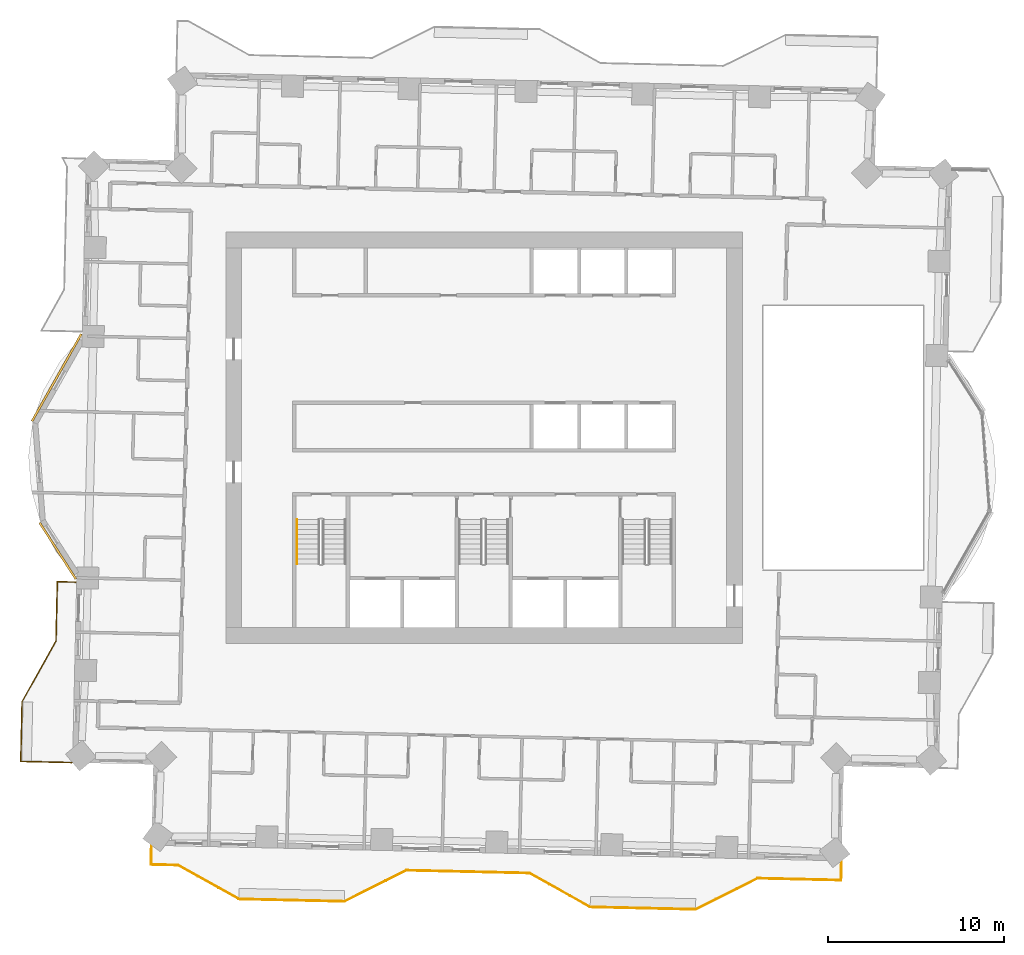
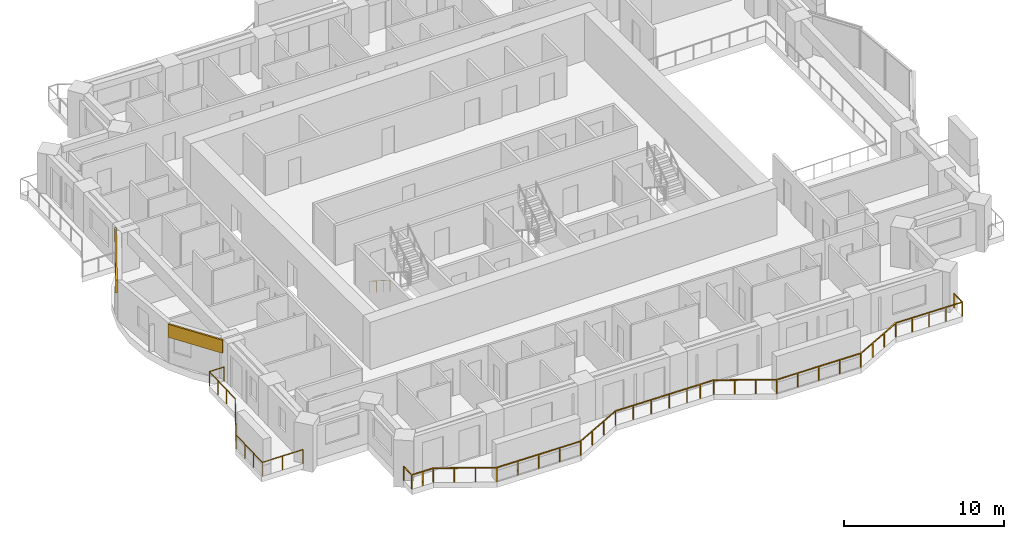
# One storey, part 11 of 14: 3 railings, 2 coverings.
"""IFC4 building model written with IfcOpenShell, lengths in metres."""

from ifc_helpers import new_model, si_unit, direction, frame, frame_2d, origin, origin_2d, place, context, subcontext, project, spatial, rectangle, circle, extrude, material, layer, layer_set, type_object, element, save


model = new_model("IFC4")

# Units and contexts
model_context = context("Model", 3, precision=1e-05, world=origin(), true_north=direction((0.0, 1.0)))
body_context = subcontext(model_context, "Body", "Model", "MODEL_VIEW")
ifc_project = project(units=[si_unit("LENGTHUNIT", "METRE"), si_unit("AREAUNIT", "SQUARE_METRE"), si_unit("VOLUMEUNIT", "CUBIC_METRE"), si_unit("PLANEANGLEUNIT", "RADIAN"), si_unit("MASSUNIT", "GRAM", prefix="KILO")], contexts=[model_context])

# Site, building, storey
site_placement = place(None, origin())
site = spatial("IfcSite", under=ifc_project, at=site_placement, CompositionType="ELEMENT")
building_placement = place(site_placement, origin())
building = spatial("IfcBuilding", under=site, at=building_placement, Name="Mangrove Gate Tower", CompositionType="ELEMENT")
storey_placement = place(building_placement, frame((0.0, 0.0, 163.5)))
storey = spatial("IfcBuildingStorey", under=building, at=storey_placement, Name="L41", CompositionType="ELEMENT", Elevation=163.5)

# Railings
ifc_material_1 = material(Name="Stainless steel grade 316 with laminated glass infill", Category="steel")
railing_type_1 = type_object("IfcRailingType", Name="Balcony guard 1100", PredefinedType="GUARDRAIL", material=ifc_material_1)
railing_1_placement = place(storey_placement, frame((-23.235107421875, -8.212890625, 0.0)))
element("IfcRailing", 1, at=railing_1_placement, inside=storey, type_object=railing_type_1, Name="GUARD L41 W2", PredefinedType="GUARDRAIL", context=body_context, shape_type="SweptSolid", body=[
    extrude(rectangle(XDim=0.048095703125, YDim=0.048095703125, at=origin_2d()), frame((0.0, 0.0, 1.076171875), z_axis=(-0.999765634628, 0.021648921828, 0.0), x_axis=(-0.021648921828, -0.999765634628, 0.0)), (0.0, 0.0, 1.0), 1.06005859375),
    extrude(rectangle(XDim=0.048095703125, YDim=0.048095703125, at=origin_2d()), frame((-1.059814453125, 0.02294921875, 1.076171875), z_axis=(-0.022866052251, -0.999738537646, 0.0), x_axis=(0.999738537646, -0.022866052251, 0.0)), (0.0, 0.0, 1.0), 3.3740234375),
    extrude(rectangle(XDim=0.048095703125, YDim=0.048095703125, at=origin_2d()), frame((-1.136962890625, -3.35009765625, 1.076171875), z_axis=(-0.487155136876, -0.873315448515, 0.0), x_axis=(0.873315448515, -0.487155136876, 0.0)), (0.0, 0.0, 1.0), 3.959716796875),
    extrude(rectangle(XDim=0.048095703125, YDim=0.048095703125, at=origin_2d()), frame((-3.06591796875, -6.80810546875, 1.076171875), z_axis=(-0.022620270121, -0.999744128955, 0.0), x_axis=(0.999744128955, -0.022620270121, 0.0)), (0.0, 0.0, 1.0), 3.39990234375),
    extrude(rectangle(XDim=0.048095703125, YDim=0.048095703125, at=origin_2d()), frame((-3.142822265625, -10.20703125, 1.076171875), z_axis=(0.999741618984, -0.02273093202, 0.0), x_axis=(0.02273093202, 0.999741618984, 0.0)), (0.0, 0.0, 1.0), 2.91064453125),
    extrude(rectangle(XDim=0.0419921875, YDim=0.0419921875, at=origin_2d()), origin(), (0.0, 0.0, 1.0), 1.052001953125),
    extrude(rectangle(XDim=0.0419921875, YDim=0.0419921875, at=origin_2d()), frame((-1.059814453125, 0.02294921875, 0.0)), (0.0, 0.0, 1.0), 1.052001953125),
    extrude(rectangle(XDim=0.0419921875, YDim=0.0419921875, at=origin_2d()), frame((-1.08544921875, -1.101318359375, 0.0)), (0.0, 0.0, 1.0), 1.052001953125),
    extrude(rectangle(XDim=0.0419921875, YDim=0.0419921875, at=origin_2d()), frame((-1.111328125, -2.225830078125, 0.0)), (0.0, 0.0, 1.0), 1.052001953125),
    extrude(rectangle(XDim=0.0419921875, YDim=0.0419921875, at=origin_2d()), frame((-1.136962890625, -3.35009765625, 0.0)), (0.0, 0.0, 1.0), 1.052001953125),
    extrude(rectangle(XDim=0.0419921875, YDim=0.0419921875, at=origin_2d()), frame((-1.780029296875, -4.502685546875, 0.0)), (0.0, 0.0, 1.0), 1.052001953125),
    extrude(rectangle(XDim=0.0419921875, YDim=0.0419921875, at=origin_2d()), frame((-2.4228515625, -5.655517578125, 0.0)), (0.0, 0.0, 1.0), 1.052001953125),
    extrude(rectangle(XDim=0.0419921875, YDim=0.0419921875, at=origin_2d()), frame((-3.06591796875, -6.80810546875, 0.0)), (0.0, 0.0, 1.0), 1.052001953125),
    extrude(rectangle(XDim=0.0419921875, YDim=0.0419921875, at=origin_2d()), frame((-3.091552734375, -7.941162109375, 0.0)), (0.0, 0.0, 1.0), 1.052001953125),
    extrude(rectangle(XDim=0.0419921875, YDim=0.0419921875, at=origin_2d()), frame((-3.1171875, -9.073974609375, 0.0)), (0.0, 0.0, 1.0), 1.052001953125),
    extrude(rectangle(XDim=0.0419921875, YDim=0.0419921875, at=origin_2d()), frame((-3.142822265625, -10.20703125, 0.0)), (0.0, 0.0, 1.0), 1.052001953125),
    extrude(rectangle(XDim=0.0419921875, YDim=0.0419921875, at=origin_2d()), frame((-1.68798828125, -10.240234375, 0.0)), (0.0, 0.0, 1.0), 1.052001953125),
    extrude(rectangle(XDim=0.0419921875, YDim=0.0419921875, at=origin_2d()), frame((-0.23291015625, -10.273193359375, 0.0)), (0.0, 0.0, 1.0), 1.052001953125),
])
railing_2_placement = place(storey_placement, frame((-18.93505859375, -23.22998046875, 0.0)))
element("IfcRailing", 2, at=railing_2_placement, inside=storey, type_object=railing_type_1, Name="GUARD L41 S1", PredefinedType="GUARDRAIL", context=body_context, shape_type="SweptSolid", body=[
    extrude(rectangle(XDim=0.048095703125, YDim=0.048095703125, at=origin_2d()), frame((0.0, 0.0, 1.076171875), z_axis=(-0.022585293253, -0.999744919731, 0.0), x_axis=(0.999744919731, -0.022585293253, 0.0)), (0.0, 0.0, 1.0), 1.059326171875),
    extrude(rectangle(XDim=0.048095703125, YDim=0.048095703125, at=origin_2d()), frame((-0.02392578125, -1.05908203125, 1.076171875), z_axis=(0.999743143029, -0.02266380302, 0.0), x_axis=(0.02266380302, 0.999743143029, 0.0)), (0.0, 0.0, 1.0), 1.54052734375),
    extrude(rectangle(XDim=0.048095703125, YDim=0.048095703125, at=origin_2d()), frame((1.51611328125, -1.093994140625, 1.076171875), z_axis=(0.87325689943, -0.48726008209, 0.0), x_axis=(0.48726008209, 0.87325689943, 0.0)), (0.0, 0.0, 1.0), 3.958740234375),
    extrude(rectangle(XDim=0.048095703125, YDim=0.048095703125, at=origin_2d()), frame((4.97314453125, -3.02294921875, 1.076171875), z_axis=(0.999743073592, -0.022666865795, 0.0), x_axis=(0.022666865795, 0.999743073592, 0.0)), (0.0, 0.0, 1.0), 5.999267578125),
    extrude(rectangle(XDim=0.048095703125, YDim=0.048095703125, at=origin_2d()), frame((10.970947265625, -3.158935546875, 1.076171875), z_axis=(0.894476522376, 0.447114919141, 0.0), x_axis=(-0.447114919141, 0.894476522376, 0.0)), (0.0, 0.0, 1.0), 3.958740234375),
    extrude(rectangle(XDim=0.048095703125, YDim=0.048095703125, at=origin_2d()), frame((14.511962890625, -1.388916015625, 1.076171875), z_axis=(0.999740400278, -0.022784469527, 0.0), x_axis=(0.022784469527, 0.999740400278, 0.0)), (0.0, 0.0, 1.0), 5.100341796875),
    extrude(rectangle(XDim=0.048095703125, YDim=0.048095703125, at=origin_2d()), frame((19.611083984375, -1.505126953125, 1.076171875), z_axis=(0.999744349692, -0.022610512149, 0.0), x_axis=(0.022610512149, 0.999744349692, 0.0)), (0.0, 0.0, 1.0), 1.900390625),
    extrude(rectangle(XDim=0.048095703125, YDim=0.048095703125, at=origin_2d()), frame((21.510986328125, -1.548095703125, 1.076171875), z_axis=(0.87325689943, -0.48726008209, 0.0), x_axis=(0.48726008209, 0.87325689943, 0.0)), (0.0, 0.0, 1.0), 3.958740234375),
    extrude(rectangle(XDim=0.048095703125, YDim=0.048095703125, at=origin_2d()), frame((24.968017578125, -3.47705078125, 1.076171875), z_axis=(0.999743094499, -0.022665943652, 0.0), x_axis=(0.022665943652, 0.999743094499, 0.0)), (0.0, 0.0, 1.0), 5.99951171875),
    extrude(rectangle(XDim=0.048095703125, YDim=0.048095703125, at=origin_2d()), frame((30.966064453125, -3.613037109375, 1.076171875), z_axis=(0.894476522376, 0.447114919141, 0.0), x_axis=(-0.447114919141, 0.894476522376, 0.0)), (0.0, 0.0, 1.0), 3.958740234375),
    extrude(rectangle(XDim=0.048095703125, YDim=0.048095703125, at=origin_2d()), frame((34.507080078125, -1.843017578125, 1.076171875), z_axis=(0.999740850797, -0.022764693012, 0.0), x_axis=(0.022764693012, 0.999740850797, 0.0)), (0.0, 0.0, 1.0), 4.740234375),
    extrude(rectangle(XDim=0.048095703125, YDim=0.048095703125, at=origin_2d()), frame((39.24609375, -1.950927734375, 1.076171875), z_axis=(0.02256969285, 0.999745272039, 0.0), x_axis=(-0.999745272039, 0.02256969285, 0.0)), (0.0, 0.0, 1.0), 1.06005859375),
    extrude(rectangle(XDim=0.0419921875, YDim=0.0419921875, at=origin_2d()), origin(), (0.0, 0.0, 1.0), 1.052001953125),
    extrude(rectangle(XDim=0.0419921875, YDim=0.0419921875, at=origin_2d()), frame((-0.02392578125, -1.05908203125, 0.0)), (0.0, 0.0, 1.0), 1.052001953125),
    extrude(rectangle(XDim=0.0419921875, YDim=0.0419921875, at=origin_2d()), frame((0.74609375, -1.07666015625, 0.0)), (0.0, 0.0, 1.0), 1.052001953125),
    extrude(rectangle(XDim=0.0419921875, YDim=0.0419921875, at=origin_2d()), frame((1.51611328125, -1.093994140625, 0.0)), (0.0, 0.0, 1.0), 1.052001953125),
    extrude(rectangle(XDim=0.0419921875, YDim=0.0419921875, at=origin_2d()), frame((2.66845703125, -1.737060546875, 0.0)), (0.0, 0.0, 1.0), 1.052001953125),
    extrude(rectangle(XDim=0.0419921875, YDim=0.0419921875, at=origin_2d()), frame((3.82080078125, -2.3798828125, 0.0)), (0.0, 0.0, 1.0), 1.052001953125),
    extrude(rectangle(XDim=0.0419921875, YDim=0.0419921875, at=origin_2d()), frame((4.97314453125, -3.02294921875, 0.0)), (0.0, 0.0, 1.0), 1.052001953125),
    extrude(rectangle(XDim=0.0419921875, YDim=0.0419921875, at=origin_2d()), frame((6.47265625, -3.056884765625, 0.0)), (0.0, 0.0, 1.0), 1.052001953125),
    extrude(rectangle(XDim=0.0419921875, YDim=0.0419921875, at=origin_2d()), frame((7.97216796875, -3.0908203125, 0.0)), (0.0, 0.0, 1.0), 1.052001953125),
    extrude(rectangle(XDim=0.0419921875, YDim=0.0419921875, at=origin_2d()), frame((9.471435546875, -3.125, 0.0)), (0.0, 0.0, 1.0), 1.052001953125),
    extrude(rectangle(XDim=0.0419921875, YDim=0.0419921875, at=origin_2d()), frame((10.970947265625, -3.158935546875, 0.0)), (0.0, 0.0, 1.0), 1.052001953125),
    extrude(rectangle(XDim=0.0419921875, YDim=0.0419921875, at=origin_2d()), frame((12.1513671875, -2.56884765625, 0.0)), (0.0, 0.0, 1.0), 1.052001953125),
    extrude(rectangle(XDim=0.0419921875, YDim=0.0419921875, at=origin_2d()), frame((13.33154296875, -1.97900390625, 0.0)), (0.0, 0.0, 1.0), 1.052001953125),
    extrude(rectangle(XDim=0.0419921875, YDim=0.0419921875, at=origin_2d()), frame((14.511962890625, -1.388916015625, 0.0)), (0.0, 0.0, 1.0), 1.052001953125),
    extrude(rectangle(XDim=0.0419921875, YDim=0.0419921875, at=origin_2d()), frame((15.78662109375, -1.41796875, 0.0)), (0.0, 0.0, 1.0), 1.052001953125),
    extrude(rectangle(XDim=0.0419921875, YDim=0.0419921875, at=origin_2d()), frame((17.0615234375, -1.447021484375, 0.0)), (0.0, 0.0, 1.0), 1.052001953125),
    extrude(rectangle(XDim=0.0419921875, YDim=0.0419921875, at=origin_2d()), frame((18.33642578125, -1.47607421875, 0.0)), (0.0, 0.0, 1.0), 1.052001953125),
    extrude(rectangle(XDim=0.0419921875, YDim=0.0419921875, at=origin_2d()), frame((19.611083984375, -1.505126953125, 0.0)), (0.0, 0.0, 1.0), 1.052001953125),
    extrude(rectangle(XDim=0.0419921875, YDim=0.0419921875, at=origin_2d()), frame((20.56103515625, -1.526611328125, 0.0)), (0.0, 0.0, 1.0), 1.052001953125),
    extrude(rectangle(XDim=0.0419921875, YDim=0.0419921875, at=origin_2d()), frame((21.510986328125, -1.548095703125, 0.0)), (0.0, 0.0, 1.0), 1.052001953125),
    extrude(rectangle(XDim=0.0419921875, YDim=0.0419921875, at=origin_2d()), frame((22.663330078125, -2.191162109375, 0.0)), (0.0, 0.0, 1.0), 1.052001953125),
    extrude(rectangle(XDim=0.0419921875, YDim=0.0419921875, at=origin_2d()), frame((23.815673828125, -2.833984375, 0.0)), (0.0, 0.0, 1.0), 1.052001953125),
    extrude(rectangle(XDim=0.0419921875, YDim=0.0419921875, at=origin_2d()), frame((24.968017578125, -3.47705078125, 0.0)), (0.0, 0.0, 1.0), 1.052001953125),
    extrude(rectangle(XDim=0.0419921875, YDim=0.0419921875, at=origin_2d()), frame((26.467529296875, -3.510986328125, 0.0)), (0.0, 0.0, 1.0), 1.052001953125),
    extrude(rectangle(XDim=0.0419921875, YDim=0.0419921875, at=origin_2d()), frame((27.967041015625, -3.544921875, 0.0)), (0.0, 0.0, 1.0), 1.052001953125),
    extrude(rectangle(XDim=0.0419921875, YDim=0.0419921875, at=origin_2d()), frame((29.466552734375, -3.5791015625, 0.0)), (0.0, 0.0, 1.0), 1.052001953125),
    extrude(rectangle(XDim=0.0419921875, YDim=0.0419921875, at=origin_2d()), frame((30.966064453125, -3.613037109375, 0.0)), (0.0, 0.0, 1.0), 1.052001953125),
    extrude(rectangle(XDim=0.0419921875, YDim=0.0419921875, at=origin_2d()), frame((32.146484375, -3.02294921875, 0.0)), (0.0, 0.0, 1.0), 1.052001953125),
    extrude(rectangle(XDim=0.0419921875, YDim=0.0419921875, at=origin_2d()), frame((33.32666015625, -2.43310546875, 0.0)), (0.0, 0.0, 1.0), 1.052001953125),
    extrude(rectangle(XDim=0.0419921875, YDim=0.0419921875, at=origin_2d()), frame((34.507080078125, -1.843017578125, 0.0)), (0.0, 0.0, 1.0), 1.052001953125),
    extrude(rectangle(XDim=0.0419921875, YDim=0.0419921875, at=origin_2d()), frame((35.69189453125, -1.8701171875, 0.0)), (0.0, 0.0, 1.0), 1.052001953125),
    extrude(rectangle(XDim=0.0419921875, YDim=0.0419921875, at=origin_2d()), frame((36.87646484375, -1.89697265625, 0.0)), (0.0, 0.0, 1.0), 1.052001953125),
    extrude(rectangle(XDim=0.0419921875, YDim=0.0419921875, at=origin_2d()), frame((38.061279296875, -1.923828125, 0.0)), (0.0, 0.0, 1.0), 1.052001953125),
    extrude(rectangle(XDim=0.0419921875, YDim=0.0419921875, at=origin_2d()), frame((39.24609375, -1.950927734375, 0.0)), (0.0, 0.0, 1.0), 1.052001953125),
    extrude(rectangle(XDim=0.0419921875, YDim=0.0419921875, at=origin_2d()), frame((39.27001953125, -0.89111328125, 0.0)), (0.0, 0.0, 1.0), 1.052001953125),
])
ifc_material_2 = material(Name="Stainless steel 316", Category="steel")
railing_type_2 = type_object("IfcRailingType", Name="Core stair handrail 900", PredefinedType="HANDRAIL", material=ifc_material_2)
railing_3_placement = place(storey_placement, frame((-10.64990234375, -4.64990234375, 0.179931640625)))
element("IfcRailing", 3, at=railing_3_placement, inside=storey, type_object=railing_type_2, Name="L41 ST1 stair handrail 1", PredefinedType="HANDRAIL", context=body_context, shape_type="SweptSolid", body=[
    extrude(circle(Radius=0.02392578125, at=origin_2d()), frame((0.0, 0.0, 0.8759765625), z_axis=(0.0, -0.841162588446, 0.540782303519), x_axis=(1.0, 0.0, 0.0)), (0.0, 0.0, 1.0), 2.995849609375),
    extrude(circle(Radius=0.02099609375, at=origin_2d()), origin(), (0.0, 0.0, 1.0), 0.851806640625),
    extrude(circle(Radius=0.02099609375, at=origin_2d()), frame((0.0, -0.840087890625, 0.5400390625)), (0.0, 0.0, 1.0), 0.851806640625),
    extrude(circle(Radius=0.02099609375, at=origin_2d()), frame((0.0, -1.679931640625, 1.080078125)), (0.0, 0.0, 1.0), 0.851806640625),
    extrude(circle(Radius=0.02099609375, at=origin_2d()), frame((0.0, -2.52001953125, 1.6201171875)), (0.0, 0.0, 1.0), 0.851806640625),
])

# Coverings
ifc_material_3 = material(Name="Limestone", Category="masonry")
ifc_layer_1 = layer(ifc_material_3, 0.0400390625, Name="Limestone cladding")
ifc_material_4 = material(Name="Stainless steel anchors and cavity", Category="steel")
ifc_layer_2 = layer(ifc_material_4, 0.080078125, Name="Fixing cavity")
ifc_layer_set = layer_set([ifc_layer_1, ifc_layer_2], Name="Joint fascia cladding 120")
covering_type = type_object("IfcCoveringType", Name="Joint fascia cladding 120", PredefinedType="CLADDING", material=ifc_layer_set)
covering_1_placement = place(storey_placement, frame((-22.925048828125, 5.908935546875, 2.050048828125), z_axis=(0.0, 0.0, 1.0), x_axis=(-0.49249427368, -0.870315684331, 0.0)))
element("IfcCovering", 4, at=covering_1_placement, inside=storey, type_object=covering_type, Name="STONE FASCIA L41 W9.L1", PredefinedType="CLADDING", context=body_context, shape_type="SweptSolid", body=[
    extrude(rectangle(XDim=5.705810546875, YDim=0.1201171875, at=frame_2d((2.85302734375, 0.0))), origin(), (0.0, 0.0, 1.0), 1.0),
])
covering_2_placement = place(storey_placement, frame((-25.300048828125, -4.830078125, 2.050048828125), z_axis=(0.0, 0.0, 1.0), x_axis=(0.540486138148, -0.841352919095, 0.0)))
element("IfcCovering", 5, at=covering_2_placement, inside=storey, type_object=covering_type, Name="STONE FASCIA L41 W9.L2", PredefinedType="CLADDING", context=body_context, shape_type="SweptSolid", body=[
    extrude(rectangle(XDim=3.818603515625, YDim=0.1201171875, at=frame_2d((1.9091796875, 0.0))), origin(), (0.0, 0.0, 1.0), 1.0),
])

save(model, "model.ifc")
